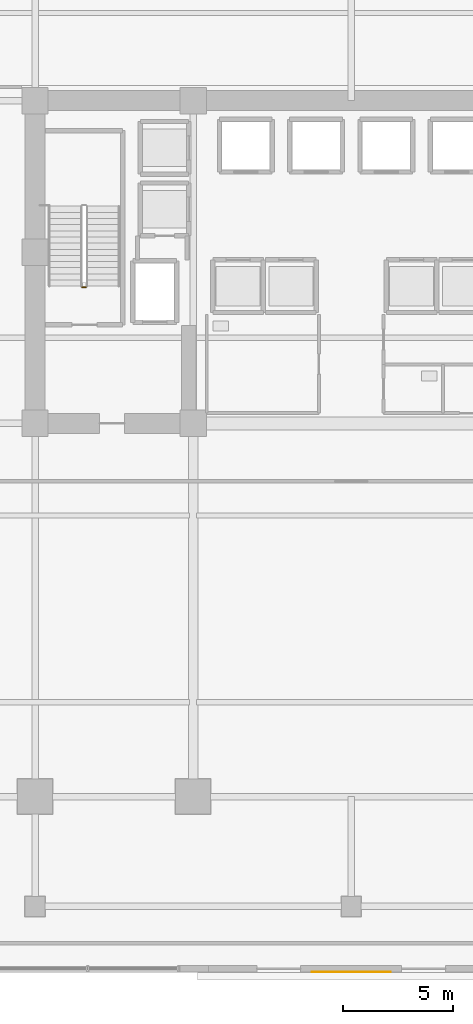
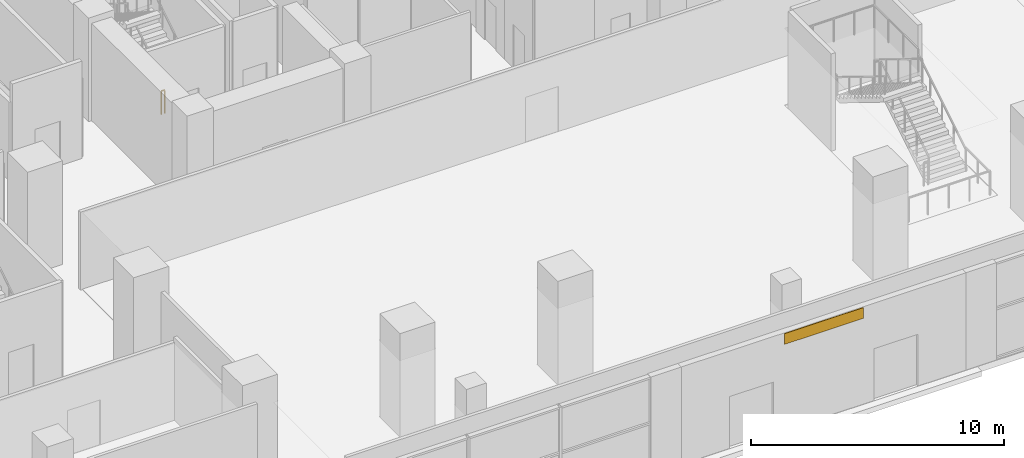
# One storey, part 19 of 27: 1 covering, 1 railing.
"""IFC4 building model written with IfcOpenShell, lengths in metres."""

from ifc_helpers import new_model, si_unit, direction, frame, origin, origin_2d, place, context, subcontext, project, spatial, rectangle, extrude, source, transform, mapped, material, layer, layer_set, type_object, element, save


model = new_model("IFC4")

# Units and contexts
model_context = context("Model", 3, precision=1e-05, world=origin(), true_north=direction((0.0, 1.0)))
body_context = subcontext(model_context, "Body", "Model", "MODEL_VIEW")
ifc_project = project(units=[si_unit("LENGTHUNIT", "METRE"), si_unit("AREAUNIT", "SQUARE_METRE"), si_unit("VOLUMEUNIT", "CUBIC_METRE"), si_unit("PLANEANGLEUNIT", "RADIAN"), si_unit("MASSUNIT", "GRAM", prefix="KILO")], contexts=[model_context])

# Site, building, storey
site_placement = place(None, origin())
site = spatial("IfcSite", under=ifc_project, at=site_placement, CompositionType="ELEMENT")
building_placement = place(site_placement, origin())
building = spatial("IfcBuilding", under=site, at=building_placement, Name="Zarnakvel Exchange Tower", CompositionType="ELEMENT")
storey_placement = place(building_placement, origin())
storey = spatial("IfcBuildingStorey", under=building, at=storey_placement, Name="L00", CompositionType="ELEMENT", Elevation=0.0)

# Railing
ifc_material_1 = material(Name="Architectural Bronze Anodised Aluminium", Category="aluminium")
railing_type = type_object("IfcRailingType", Name="SG-01", PredefinedType="GUARDRAIL", material=ifc_material_1)
railing_placement = place(storey_placement, frame((-12.090087890625, 5.0, 0.0)))
element("IfcRailing", 1, at=railing_placement, inside=storey, type_object=railing_type, Name="L00 ST-01 stair guard 4", PredefinedType="GUARDRAIL", context=body_context, shape_type="SweptSolid", body=[
    extrude(rectangle(XDim=0.048095703125, YDim=0.048095703125, at=origin_2d()), frame((0.0, 0.0, 1.1259765625), z_axis=(-1.0, 0.0, 0.0), x_axis=(0.0, -1.0, 0.0)), (0.0, 0.0, 1.0), 0.159912109375),
    extrude(rectangle(XDim=0.0419921875, YDim=0.0419921875, at=origin_2d()), origin(), (0.0, 0.0, 1.0), 1.101806640625),
    extrude(rectangle(XDim=0.0419921875, YDim=0.0419921875, at=origin_2d()), frame((-0.159912109375, 0.0, 0.0)), (0.0, 0.0, 1.0), 1.101806640625),
])

# Covering
ifc_material_2 = material(Name="Glazed Turquoise Ceramic Architectural Tile", Category="ceramic")
ifc_layer = layer(ifc_material_2, 0.028076171875)
ifc_layer_set = layer_set([ifc_layer], Name="Glazed Turquoise Ceramic Architectural Tile")
covering_type = type_object("IfcCoveringType", Name="CL-01", PredefinedType="CLADDING", material=ifc_layer_set)
shared_shape = source(origin(), body_context, "Body", "SweptSolid", [
    extrude(rectangle(XDim=3.60009765625, YDim=0.028076171875, at=origin_2d()), origin(), (0.0, 0.0, 1.0), 0.52001953125),
])
covering_placement = place(storey_placement, frame((0.0, -26.19189453125, 4.159912109375), z_axis=(0.0, 0.0, 1.0), x_axis=(-1.0, 0.0, 0.0)))
element("IfcCovering", 2, at=covering_placement, inside=storey, type_object=covering_type, Name="L00 Ceramic Spandrel Tilework CL-01", PredefinedType="CLADDING", context=body_context, shape_type="MappedRepresentation", body=[
    mapped(shared_shape, transform((0.0, 0.0, 0.0), x_axis=(1.0, 0.0, 0.0), y_axis=(0.0, 1.0, 0.0), z_axis=(0.0, 0.0, 1.0), scale=1.0)),
])

save(model, "model.ifc")
